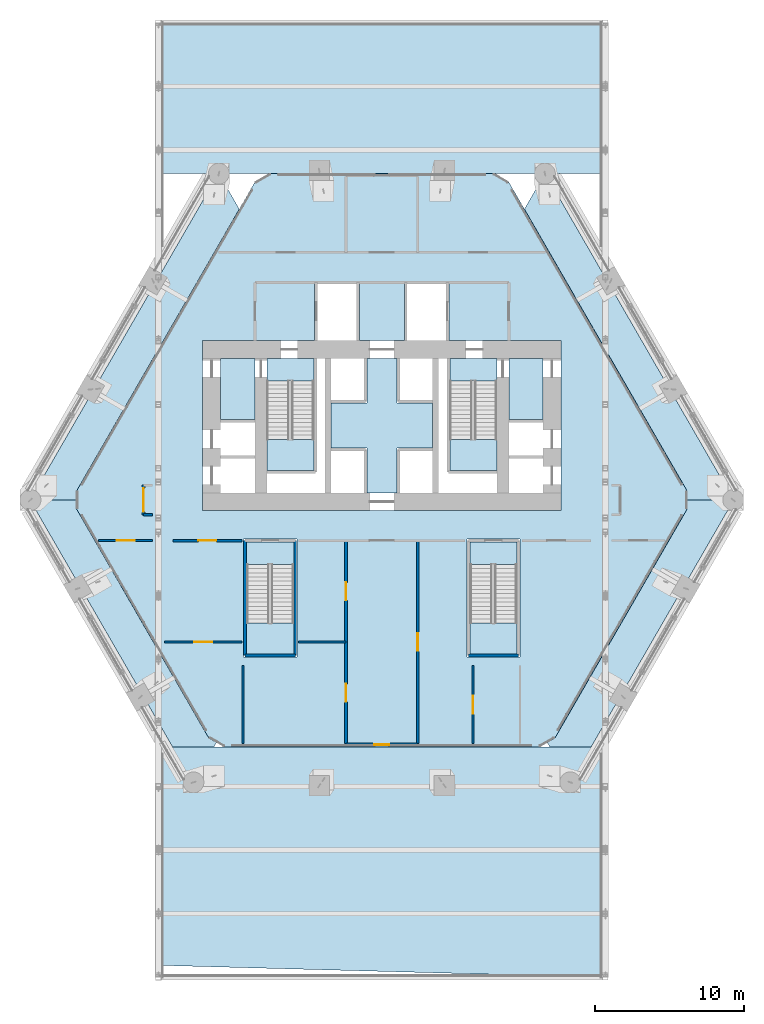
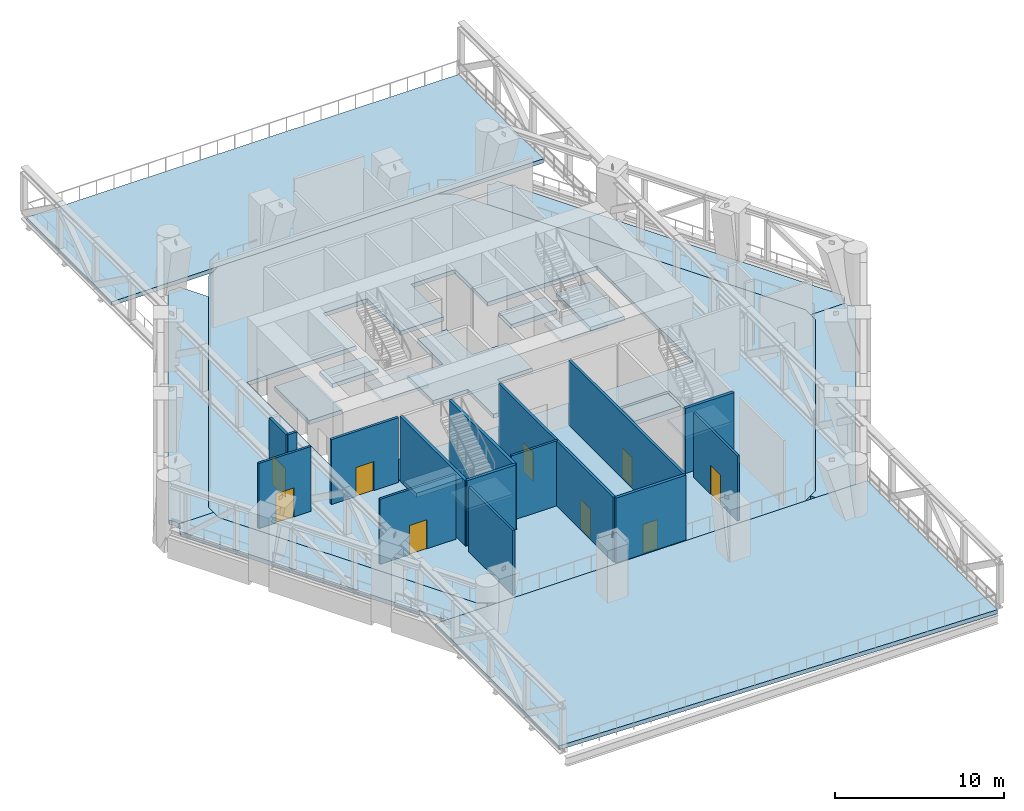
# One storey, part 8 of 20: 18 slabs, 15 walls, 9 doors, 9 openings, 4 elements without a shape of their own.
"""IFC4 building model written with IfcOpenShell, lengths in metres."""

import ifcopenshell
import ifcopenshell.guid

model = None  # the IFC model being written
_history = None  # IfcOwnerHistory: only IFC2X3 demands one
_inside = {}  # id of a spatial element -> (the spatial element, [elements in it])
_under = {}  # id of a project, library or spatial element -> (it, [spatial elements below it])
_declared = {}  # id of a project -> (the project, [libraries it declares])
_typed = {}  # id of a type object -> (the type object, [elements of that type])
_made_of = {}  # id of a material, layer set ... -> (it, [elements and type objects made of it])


def new_model(schema):
    """Start an empty IFC model of exactly this schema.

    Asked for "IFC4X3", IfcOpenShell would pick the latest addendum, in which some entities
    have other attributes; the version numbers below select the first issue.
    IFC2X3 requires an IfcOwnerHistory on every rooted entity: one is made here for all.
    """
    global model, _history
    if schema == "IFC4X3":
        model = ifcopenshell.file(schema_version=(4, 3, 0, 0))
    else:
        model = ifcopenshell.file(schema=schema)
    _inside.clear()
    _under.clear()
    _declared.clear()
    _typed.clear()
    _made_of.clear()
    _history = None
    if model.schema == "IFC2X3":
        org = make("IfcOrganization", Name="unknown")
        user = make(
            "IfcPersonAndOrganization",
            ThePerson=make("IfcPerson", FamilyName="unknown"),
            TheOrganization=org,
        )
        app = make(
            "IfcApplication",
            ApplicationDeveloper=org,
            Version="unknown",
            ApplicationFullName="unknown",
            ApplicationIdentifier="unknown",
        )
        _history = make(
            "IfcOwnerHistory",
            OwningUser=user,
            OwningApplication=app,
            ChangeAction="ADDED",
            CreationDate=0,
        )
    return model


def make(cls, **values):
    """One entity of the class cls with the attributes given. An attribute that is None is left unset."""
    return model.create_entity(
        cls, **{name: value for name, value in values.items() if value is not None}
    )


def rooted(cls, **values):
    """An entity with a GlobalId (a new one), such as an element, a storey or a relation."""
    return make(cls, GlobalId=ifcopenshell.guid.new(), OwnerHistory=_history, **values)


def si_unit(unit_type, name, prefix=None):
    """IfcSIUnit, for example si_unit("LENGTHUNIT", "METRE", prefix="MILLI")."""
    return make("IfcSIUnit", UnitType=unit_type, Prefix=prefix, Name=name)


def assignment(units):
    """IfcUnitAssignment: the units of a project."""
    return None if units is None else make("IfcUnitAssignment", Units=units)


def point(xyz):
    """IfcCartesianPoint."""
    return None if xyz is None else make("IfcCartesianPoint", Coordinates=xyz)


def direction(xyz):
    """IfcDirection."""
    return None if xyz is None else make("IfcDirection", DirectionRatios=xyz)


def frame(location, z_axis=None, x_axis=None):
    """IfcAxis2Placement3D, a coordinate frame: its origin and axes. An axis left out is left unset."""
    return make(
        "IfcAxis2Placement3D",
        Location=point(location),
        Axis=direction(z_axis),
        RefDirection=direction(x_axis),
    )


def frame_2d(location, x_axis=None):
    """IfcAxis2Placement2D, a coordinate frame in the plane: its origin and x axis."""
    return make(
        "IfcAxis2Placement2D", Location=point(location), RefDirection=direction(x_axis)
    )


def origin():
    """The frame at (0, 0, 0) with its axes left unset."""
    return frame((0.0, 0.0, 0.0))


def place(relative_to, where):
    """IfcLocalPlacement: puts the frame where relative to a parent placement (None: the world)."""
    return make(
        "IfcLocalPlacement", PlacementRelTo=relative_to, RelativePlacement=where
    )


def context(
    kind, dimensions, precision=None, world=None, true_north=None, identifier=None
):
    """IfcGeometricRepresentationContext, for example the 3D "Model" context."""
    return make(
        "IfcGeometricRepresentationContext",
        ContextIdentifier=identifier,
        ContextType=kind,
        CoordinateSpaceDimension=dimensions,
        Precision=precision,
        WorldCoordinateSystem=world,
        TrueNorth=true_north,
    )


def subcontext(parent, identifier, kind, view, scale=None):
    """IfcGeometricRepresentationSubContext, for example "Body" below "Model"."""
    return make(
        "IfcGeometricRepresentationSubContext",
        ContextIdentifier=identifier,
        ContextType=kind,
        ParentContext=parent,
        TargetScale=scale,
        TargetView=view,
    )


def project(units=None, contexts=None):
    """IfcProject with its units and contexts."""
    return rooted(
        "IfcProject",
        Name="project",
        RepresentationContexts=contexts,
        UnitsInContext=assignment(units),
    )


def spatial(cls, under=None, at=None, **own):
    """A site, building, storey or space (cls), placed at a placement, below another one or the project."""
    s = rooted(cls, ObjectPlacement=at, **own)
    if under is not None:
        _under.setdefault(under.id(), (under, []))[1].append(s)
    return s


def polyline(points):
    """IfcPolyline through the points."""
    return make("IfcPolyline", Points=[point(p) for p in points])


def profile(cls, at=None, kind="AREA", **sizes):
    """A parametric profile (cls). Its sizes go by their IFC names, for example OverallWidth=200.0."""
    return make(cls, ProfileType=kind, Position=at, **sizes)


def rectangle(**sizes):
    """IfcRectangleProfileDef."""
    return profile("IfcRectangleProfileDef", **sizes)


def outline(outer, holes=None, kind="AREA"):
    """IfcArbitraryClosedProfileDef: a profile drawn as a closed curve; with holes, ...WithVoids."""
    if holes is None:
        return make("IfcArbitraryClosedProfileDef", ProfileType=kind, OuterCurve=outer)
    return make(
        "IfcArbitraryProfileDefWithVoids",
        ProfileType=kind,
        OuterCurve=outer,
        InnerCurves=holes,
    )


def extrude(swept, where, along, depth):
    """IfcExtrudedAreaSolid: the profile swept, set in the frame where, extruded along a direction by depth."""
    return make(
        "IfcExtrudedAreaSolid",
        SweptArea=swept,
        Position=where,
        ExtrudedDirection=direction(along),
        Depth=depth,
    )


def shape(context_of_items, identifier, shape_type, items):
    """IfcShapeRepresentation: the items that make up one representation, for example the "Body"."""
    return make(
        "IfcShapeRepresentation",
        ContextOfItems=context_of_items,
        RepresentationIdentifier=identifier,
        RepresentationType=shape_type,
        Items=items,
    )


def material(Name=None, Category=None):
    """IfcMaterial."""
    return make("IfcMaterial", Name=Name, Category=Category)


def layer(
    of_material, thickness, ventilated=None, Name=None, Category=None, Priority=None
):
    """IfcMaterialLayer: one layer of a wall or slab, of a material (None: an air gap)."""
    return make(
        "IfcMaterialLayer",
        Material=of_material,
        LayerThickness=thickness,
        IsVentilated=ventilated,
        Name=Name,
        Category=Category,
        Priority=Priority,
    )


def layer_set(layers, Name=None):
    """IfcMaterialLayerSet."""
    return make("IfcMaterialLayerSet", MaterialLayers=layers, LayerSetName=Name)


def made_of(thing, what):
    """Note that an element or type object is made of a material, layer set ...; save() writes the relation."""
    if what is not None:
        _made_of.setdefault(what.id(), (what, []))[1].append(thing)
    return thing


def type_object(cls, material=None, **own):
    """A type object (cls), such as IfcWallType, which elements share."""
    return made_of(rooted(cls, **own), material)


def element(
    cls,
    number,
    at=None,
    inside=None,
    cuts=None,
    type_object=None,
    material=None,
    context=None,
    identifier="Body",
    shape_type=None,
    held_by="IfcProductDefinitionShape",
    body=None,
    shapes=None,
    **own,
):
    """One element of the class cls, such as IfcWall. Its Tag is "e" and its number.

    at: its placement. inside: the storey or other place that contains it. cuts: it is an
    opening in that element (IfcRelVoidsElement). A single representation is given by context,
    identifier, shape_type and body (its items); several are given by shapes. held_by: the class
    of the entity that holds the representations. save() writes the other relations.
    """
    e = rooted(cls, Tag="e%d" % number, ObjectPlacement=at, **own)
    if body is not None:
        shapes = [shape(context, identifier, shape_type, body)]
    if shapes is not None:
        e.Representation = make(held_by, Representations=shapes)
    if inside is not None:
        _inside.setdefault(inside.id(), (inside, []))[1].append(e)
    if cuts is not None:
        rooted(
            "IfcRelVoidsElement", RelatingBuildingElement=cuts, RelatedOpeningElement=e
        )
    if type_object is not None:
        _typed.setdefault(type_object.id(), (type_object, []))[1].append(e)
    return made_of(e, material)


def fill(opening, filler):
    """IfcRelFillsElement: the door or window that sits in an opening."""
    return rooted(
        "IfcRelFillsElement",
        RelatingOpeningElement=opening,
        RelatedBuildingElement=filler,
    )


def aggregate(whole, parts):
    """IfcRelAggregates: a whole, such as a stair, and the parts it consists of."""
    return rooted("IfcRelAggregates", RelatingObject=whole, RelatedObjects=parts)


def save(model, path):
    """Write the relations noted so far, then the file.

    IfcRelAggregates (storeys below a building ...), IfcRelContainedInSpatialStructure (elements
    in a storey), IfcRelDefinesByType, IfcRelAssociatesMaterial and IfcRelDeclares: one each for
    every whole, place, type object, material and project.
    """
    for whole, parts in _under.values():
        aggregate(whole, parts)
    for where, things in _inside.values():
        rooted(
            "IfcRelContainedInSpatialStructure",
            RelatedElements=things,
            RelatingStructure=where,
        )
    for kind, things in _typed.values():
        rooted("IfcRelDefinesByType", RelatedObjects=things, RelatingType=kind)
    for what, things in _made_of.values():
        rooted("IfcRelAssociatesMaterial", RelatedObjects=things, RelatingMaterial=what)
    for by, libraries in _declared.values():
        rooted("IfcRelDeclares", RelatingContext=by, RelatedDefinitions=libraries)
    model.write(path)


model = new_model("IFC4")

# Units and contexts
model_context = context("Model", 3, precision=1e-05, world=origin(), true_north=direction((0.0, 1.0)))
body_context = subcontext(model_context, "Body", "Model", "MODEL_VIEW")
ifc_project = project(units=[si_unit("LENGTHUNIT", "METRE"), si_unit("AREAUNIT", "SQUARE_METRE"), si_unit("VOLUMEUNIT", "CUBIC_METRE"), si_unit("PLANEANGLEUNIT", "RADIAN"), si_unit("MASSUNIT", "GRAM", prefix="KILO")], contexts=[model_context])

# Site, building, storey
site_placement = place(None, origin())
site = spatial("IfcSite", under=ifc_project, at=site_placement, CompositionType="ELEMENT")
building_placement = place(site_placement, origin())
building = spatial("IfcBuilding", under=site, at=building_placement, Name="Ostrander Bayou Hotel Tower", CompositionType="ELEMENT")
storey_placement = place(building_placement, frame((0.0, 0.0, 80.5)))
storey = spatial("IfcBuildingStorey", under=building, at=storey_placement, Name="L20", CompositionType="ELEMENT", Elevation=80.5)

# Slabs
ifc_material_1 = material(Name="Concrete f'c 40 MPa", Category="concrete")
ifc_layer_1 = layer(ifc_material_1, 0.300048828125)
ifc_layer_set_1 = layer_set([ifc_layer_1], Name="SL1 floor slab 300 mm f'c 40 MPa")
slab_type_1 = type_object("IfcSlabType", Name="SL1 floor slab 300 mm f'c 40 MPa", PredefinedType="FLOOR", material=ifc_layer_set_1)
slab_1_placement = place(storey_placement, frame((0.0, 0.0, -0.300048828125)))
element("IfcSlab", 1, at=slab_1_placement, inside=storey, type_object=slab_type_1, Name="SL1 L20 1", PredefinedType="FLOOR", context=body_context, shape_type="SweptSolid", body=[
    extrude(outline(polyline([(8.5078125, 20.300048828125), (20.448486328125, -0.3818359375), (20.448486328125, -1.581787109375), (11.59423828125, -16.918212890625), (10.55517578125, -17.51806640625), (-10.55517578125, -17.51806640625), (-11.59423828125, -16.918212890625), (-20.448486328125, -1.581787109375), (-20.448486328125, -0.3818359375), (-8.5078125, 20.300048828125), (-7.46875, 20.89990234375), (7.46875, 20.89990234375), (8.5078125, 20.300048828125)]), holes=[polyline([(-12.0, -1.699951171875), (12.0, -1.699951171875), (12.0, 9.699951171875), (4.5, 9.699951171875), (4.5, 13.60009765625), (1.5, 13.60009765625), (1.5, 9.699951171875), (-1.5, 9.699951171875), (-1.5, 13.60009765625), (-4.5, 13.60009765625), (-4.5, 9.699951171875), (-12.0, 9.699951171875), (-12.0, -1.699951171875)]), polyline([(9.25, -3.60009765625), (5.699951171875, -3.60009765625), (5.699951171875, -11.5), (9.25, -11.5), (9.25, -3.60009765625)]), polyline([(-5.699951171875, -3.60009765625), (-9.25, -3.60009765625), (-9.25, -11.5), (-5.699951171875, -11.5), (-5.699951171875, -3.60009765625)])]), origin(), (0.0, 0.0, 1.0), 0.300048828125),
])
slab_2_placement = place(storey_placement, frame((0.0, 0.0, -0.300048828125)))
element("IfcSlab", 2, at=slab_2_placement, inside=storey, type_object=slab_type_1, Name="cslab:L20:001", PredefinedType="FLOOR", context=body_context, shape_type="SweptSolid", body=[
    extrude(outline(polyline([(-3.39990234375, 5.5), (-1.0, 5.5), (-1.0, 8.5), (1.0, 8.5), (1.0, 5.5), (3.39990234375, 5.5), (3.39990234375, 2.5), (1.0, 2.5), (1.0, -0.5), (-1.0, -0.5), (-1.0, 2.5), (-3.39990234375, 2.5), (-3.39990234375, 5.5)])), origin(), (0.0, 0.0, 1.0), 0.300048828125),
])
slab_3_placement = place(storey_placement, frame((0.0, 0.0, -0.300048828125)))
element("IfcSlab", 3, at=slab_3_placement, inside=storey, type_object=slab_type_1, Name="cslab:L20:002", PredefinedType="FLOOR", context=body_context, shape_type="SweptSolid", body=[
    extrude(outline(polyline([(-8.5, 4.39990234375), (-8.5, 8.5), (-10.800048828125, 8.5), (-10.800048828125, 4.39990234375), (-8.5, 4.39990234375)])), origin(), (0.0, 0.0, 1.0), 0.300048828125),
])
slab_4_placement = place(storey_placement, frame((0.0, 0.0, -0.300048828125)))
element("IfcSlab", 4, at=slab_4_placement, inside=storey, type_object=slab_type_1, Name="cslab:L20:003", PredefinedType="FLOOR", context=body_context, shape_type="SweptSolid", body=[
    extrude(outline(polyline([(10.800048828125, 4.39990234375), (10.800048828125, 8.5), (8.5, 8.5), (8.5, 4.39990234375), (10.800048828125, 4.39990234375)])), origin(), (0.0, 0.0, 1.0), 0.300048828125),
])
slab_5_placement = place(storey_placement, frame((0.0, 0.0, -0.300048828125)))
element("IfcSlab", 5, at=slab_5_placement, inside=storey, type_object=slab_type_1, Name="cslab:L20:004", PredefinedType="FLOOR", context=body_context, shape_type="SweptSolid", body=[
    extrude(outline(polyline([(-4.550048828125, 7.0), (-4.550048828125, 8.5), (-7.699951171875, 8.5), (-7.699951171875, 7.0), (-4.550048828125, 7.0)])), origin(), (0.0, 0.0, 1.0), 0.300048828125),
])
slab_6_placement = place(storey_placement, frame((0.0, 0.0, -0.300048828125)))
element("IfcSlab", 6, at=slab_6_placement, inside=storey, type_object=slab_type_1, Name="cslab:L20:005", PredefinedType="FLOOR", context=body_context, shape_type="SweptSolid", body=[
    extrude(outline(polyline([(7.699951171875, 7.0), (7.699951171875, 8.5), (4.550048828125, 8.5), (4.550048828125, 7.0), (7.699951171875, 7.0)])), origin(), (0.0, 0.0, 1.0), 0.300048828125),
])
slab_7_placement = place(storey_placement, frame((0.0, 0.0, -0.300048828125)))
element("IfcSlab", 7, at=slab_7_placement, inside=storey, type_object=slab_type_1, Name="cslab:L20:006", PredefinedType="FLOOR", context=body_context, shape_type="SweptSolid", body=[
    extrude(outline(polyline([(9.050048828125, -5.300048828125), (9.050048828125, -3.800048828125), (5.89990234375, -3.800048828125), (5.89990234375, -5.300048828125), (9.050048828125, -5.300048828125)])), origin(), (0.0, 0.0, 1.0), 0.300048828125),
])
slab_8_placement = place(storey_placement, frame((0.0, 0.0, -0.300048828125)))
element("IfcSlab", 8, at=slab_8_placement, inside=storey, type_object=slab_type_1, Name="cslab:L20:007", PredefinedType="FLOOR", context=body_context, shape_type="SweptSolid", body=[
    extrude(outline(polyline([(-5.89990234375, -5.300048828125), (-5.89990234375, -3.800048828125), (-9.050048828125, -3.800048828125), (-9.050048828125, -5.300048828125), (-5.89990234375, -5.300048828125)])), origin(), (0.0, 0.0, 1.0), 0.300048828125),
])
ifc_material_2 = material(Name="Concrete f'c 40 MPa", Category="concrete")
ifc_layer_2 = layer(ifc_material_2, 0.300048828125)
ifc_layer_set_2 = layer_set([ifc_layer_2], Name="SL4 loggia slab 300 mm f'c 40 MPa")
slab_type_2 = type_object("IfcSlabType", Name="SL4 loggia slab 300 mm f'c 40 MPa", PredefinedType="FLOOR", material=ifc_layer_set_2)
slab_9_placement = place(storey_placement, frame((0.0, 0.0, -0.300048828125)))
element("IfcSlab", 9, at=slab_9_placement, inside=storey, type_object=slab_type_2, Name="SL4 LOGGIA L20 NW 1", PredefinedType="FLOOR", context=body_context, shape_type="SweptSolid", body=[
    extrude(outline(polyline([(-22.834228515625, -0.98193359375), (-22.84765625, -0.84521484375), (-22.8876953125, -0.714111328125), (-22.952392578125, -0.593017578125), (-23.039306640625, -0.48681640625), (-23.13330078125, -0.409912109375), (-23.13330078125, -0.23193359375), (-11.36572265625, 20.14990234375), (-11.210693359375, 20.239501953125), (-11.184814453125, 20.2255859375), (-11.053466796875, 20.185791015625), (-10.916748046875, 20.172119140625), (-10.7802734375, 20.185791015625), (-10.64892578125, 20.2255859375), (-10.568359375, 20.2685546875), (-9.547119140625, 18.5), (-20.448486328125, -0.3818359375), (-20.448486328125, -0.98193359375), (-22.834228515625, -0.98193359375)])), origin(), (0.0, 0.0, 1.0), 0.300048828125),
])
slab_10_placement = place(storey_placement, frame((0.0, 0.0, -0.300048828125)))
element("IfcSlab", 10, at=slab_10_placement, inside=storey, type_object=slab_type_2, Name="SL4 LOGGIA L20 SW 1", PredefinedType="FLOOR", context=body_context, shape_type="SweptSolid", body=[
    extrude(outline(polyline([(-11.07470703125, -17.218017578125), (-11.247802734375, -17.51806640625), (-14.019287109375, -17.51806640625), (-15.667236328125, -14.66357421875), (-16.337158203125, -13.503173828125), (-19.862548828125, -7.39697265625), (-20.53271484375, -6.236328125), (-21.3271484375, -4.860595703125), (-23.13330078125, -1.73193359375), (-23.13330078125, -1.553955078125), (-23.039306640625, -1.476806640625), (-22.952392578125, -1.370849609375), (-22.8876953125, -1.249755859375), (-22.84765625, -1.118408203125), (-22.834228515625, -0.98193359375), (-20.448486328125, -0.98193359375), (-20.448486328125, -1.581787109375), (-11.59423828125, -16.918212890625), (-11.07470703125, -17.218017578125)])), origin(), (0.0, 0.0, 1.0), 0.300048828125),
])
slab_11_placement = place(storey_placement, frame((0.0, 0.0, -0.300048828125)))
element("IfcSlab", 11, at=slab_11_placement, inside=storey, type_object=slab_type_2, Name="SL4 LOGGIA L20 SE 1", PredefinedType="FLOOR", context=body_context, shape_type="SweptSolid", body=[
    extrude(outline(polyline([(23.13330078125, -1.73193359375), (20.53271484375, -6.236328125), (19.862548828125, -7.39697265625), (16.337158203125, -13.503173828125), (15.667236328125, -14.66357421875), (14.019287109375, -17.51806640625), (11.247802734375, -17.51806640625), (11.07470703125, -17.218017578125), (11.59423828125, -16.918212890625), (20.448486328125, -1.581787109375), (20.448486328125, -0.98193359375), (22.834228515625, -0.98193359375), (22.84765625, -1.118408203125), (22.8876953125, -1.249755859375), (22.952392578125, -1.370849609375), (23.039306640625, -1.476806640625), (23.13330078125, -1.553955078125), (23.13330078125, -1.73193359375)])), origin(), (0.0, 0.0, 1.0), 0.300048828125),
])
slab_12_placement = place(storey_placement, frame((0.0, 0.0, -0.300048828125)))
element("IfcSlab", 12, at=slab_12_placement, inside=storey, type_object=slab_type_2, Name="SL4 LOGGIA L20 NE 1", PredefinedType="FLOOR", context=body_context, shape_type="SweptSolid", body=[
    extrude(outline(polyline([(10.568359375, 20.2685546875), (10.64892578125, 20.2255859375), (10.7802734375, 20.185791015625), (10.916748046875, 20.172119140625), (11.053466796875, 20.185791015625), (11.184814453125, 20.2255859375), (11.210693359375, 20.239501953125), (11.36572265625, 20.14990234375), (12.78173828125, 17.697509765625), (14.81689453125, 14.172607421875), (16.810546875, 10.71923828125), (19.01220703125, 6.906005859375), (19.682373046875, 5.74560546875), (23.13330078125, -0.23193359375), (23.13330078125, -0.409912109375), (23.039306640625, -0.48681640625), (22.952392578125, -0.593017578125), (22.8876953125, -0.714111328125), (22.84765625, -0.84521484375), (22.834228515625, -0.98193359375), (20.448486328125, -0.98193359375), (20.448486328125, -0.3818359375), (9.547119140625, 18.5), (10.568359375, 20.2685546875)])), origin(), (0.0, 0.0, 1.0), 0.300048828125),
])
ifc_material_3 = material(Name="Concrete f'c 40 MPa", Category="concrete")
ifc_layer_3 = layer(ifc_material_3, 0.300048828125)
ifc_layer_set_3 = layer_set([ifc_layer_3], Name="SL6B terrace roof slab 300 mm f'c 40 MPa")
slab_type_3 = type_object("IfcSlabType", Name="SL6B terrace roof slab 300 mm f'c 40 MPa", PredefinedType="ROOF", material=ifc_layer_set_3)
slab_13_placement = place(storey_placement, frame((0.0, 0.0, -0.300048828125)))
element("IfcSlab", 13, at=slab_13_placement, inside=storey, type_object=slab_type_3, Name="SL6B ROOF SB1 1", PredefinedType="ROOF", context=body_context, shape_type="SweptSolid", body=[
    extrude(outline(polyline([(-14.787109375, -17.51806640625), (14.787109375, -17.51806640625), (14.787109375, -32.949951171875), (-14.787109375, -32.14990234375), (-14.787109375, -17.51806640625)])), origin(), (0.0, 0.0, 1.0), 0.300048828125),
])
slab_14_placement = place(storey_placement, frame((0.0, 0.0, -0.300048828125)))
element("IfcSlab", 14, at=slab_14_placement, inside=storey, type_object=slab_type_3, Name="SL6B ROOF SB1 1", PredefinedType="ROOF", context=body_context, shape_type="SweptSolid", body=[
    extrude(outline(polyline([(-14.787109375, 30.986083984375), (14.787109375, 30.986083984375), (14.787109375, 20.89990234375), (-14.787109375, 20.89990234375), (-14.787109375, 30.986083984375)])), origin(), (0.0, 0.0, 1.0), 0.300048828125),
])

# Stair, slab
ifc_material_4 = material(Name="Concrete f'c 45 MPa", Category="concrete")
stair_type = type_object("IfcStairType", Name="ST1 exit stair 1500 mm f'c 45 MPa", PredefinedType="HALF_TURN_STAIR", material=ifc_material_4)
stair_1_placement = place(storey_placement, origin())
stair_1 = element("IfcStair", 15, at=stair_1_placement, inside=storey, type_object=stair_type, Name="L20 exit stair A", PredefinedType="HALF_TURN_STAIR")
ifc_material_5 = material(Name="Concrete f'c 45 MPa", Category="concrete")
ifc_layer_4 = layer(ifc_material_5, 0.199951171875)
ifc_layer_set_4 = layer_set([ifc_layer_4], Name="SL8 stair landing 200 mm f'c 45 MPa")
slab_type_4 = type_object("IfcSlabType", Name="SL8 stair landing 200 mm f'c 45 MPa", PredefinedType="LANDING", material=ifc_layer_set_4)
slab_15_placement = place(storey_placement, frame((0.0, 0.0, 2.300048828125)))
slab_15 = element("IfcSlab", 16, at=slab_15_placement, type_object=slab_type_4, Name="STA landing 1", PredefinedType="LANDING", context=body_context, shape_type="SweptSolid", body=[
    extrude(outline(polyline([(-7.699951171875, 3.080078125), (-7.699951171875, 1.0), (-4.550048828125, 1.0), (-4.550048828125, 3.080078125), (-7.699951171875, 3.080078125)])), origin(), (0.0, 0.0, 1.0), 0.199951171875),
])
aggregate(stair_1, [slab_15])

stair_2_placement = place(storey_placement, origin())
stair_2 = element("IfcStair", 17, at=stair_2_placement, inside=storey, type_object=stair_type, Name="L20 exit stair B", PredefinedType="HALF_TURN_STAIR")
slab_16_placement = place(storey_placement, frame((0.0, 0.0, 2.300048828125)))
slab_16 = element("IfcSlab", 18, at=slab_16_placement, type_object=slab_type_4, Name="STB landing 1", PredefinedType="LANDING", context=body_context, shape_type="SweptSolid", body=[
    extrude(outline(polyline([(4.550048828125, 3.080078125), (4.550048828125, 1.0), (7.699951171875, 1.0), (7.699951171875, 3.080078125), (4.550048828125, 3.080078125)])), origin(), (0.0, 0.0, 1.0), 0.199951171875),
])
aggregate(stair_2, [slab_16])

stair_3_placement = place(storey_placement, origin())
stair_3 = element("IfcStair", 19, at=stair_3_placement, inside=storey, type_object=stair_type, Name="L20 exit stair C", PredefinedType="HALF_TURN_STAIR")
slab_17_placement = place(storey_placement, frame((0.0, 0.0, 2.300048828125)))
slab_17 = element("IfcSlab", 20, at=slab_17_placement, type_object=slab_type_4, Name="STC landing 1", PredefinedType="LANDING", context=body_context, shape_type="SweptSolid", body=[
    extrude(outline(polyline([(5.89990234375, -9.219970703125), (5.89990234375, -11.300048828125), (9.050048828125, -11.300048828125), (9.050048828125, -9.219970703125), (5.89990234375, -9.219970703125)])), origin(), (0.0, 0.0, 1.0), 0.199951171875),
])
aggregate(stair_3, [slab_17])

stair_4_placement = place(storey_placement, origin())
stair_4 = element("IfcStair", 21, at=stair_4_placement, inside=storey, type_object=stair_type, Name="L20 exit stair D", PredefinedType="HALF_TURN_STAIR")
slab_18_placement = place(storey_placement, frame((0.0, 0.0, 2.300048828125)))
slab_18 = element("IfcSlab", 22, at=slab_18_placement, type_object=slab_type_4, Name="STD landing 1", PredefinedType="LANDING", context=body_context, shape_type="SweptSolid", body=[
    extrude(outline(polyline([(-9.050048828125, -9.219970703125), (-9.050048828125, -11.300048828125), (-5.89990234375, -11.300048828125), (-5.89990234375, -9.219970703125), (-9.050048828125, -9.219970703125)])), origin(), (0.0, 0.0, 1.0), 0.199951171875),
])
aggregate(stair_4, [slab_18])

# Wall, opening, door
ifc_material_6 = material(Name="Gypsum board partition", Category="finish")
ifc_layer_5 = layer(ifc_material_6, 0.175048828125)
ifc_layer_set_5 = layer_set([ifc_layer_5], Name="PT4 corridor wall 175 mm, 1 hour")
wall_type_1 = type_object("IfcWallType", Name="PT4 corridor wall 175 mm, 1 hour", PredefinedType="PARTITIONING", material=ifc_layer_set_5)
wall_1_placement = place(storey_placement, frame((-14.0, -3.699951171875, 0.0), z_axis=(0.0, 0.0, 1.0), x_axis=(1.0, 0.0, 0.0)))
wall_1 = element("IfcWall", 23, at=wall_1_placement, inside=storey, type_object=wall_type_1, Name="sw:L20:001", PredefinedType="PARTITIONING", context=body_context, shape_type="SweptSolid", body=[
    extrude(rectangle(XDim=4.6201171875, YDim=0.175048828125, at=frame_2d((2.31005859375, 0.0))), origin(), (0.0, 0.0, 1.0), 4.699951171875),
])
opening_1_placement = place(wall_1_placement, frame((1.7099609375, 0.0, 0.0)))
opening_1 = element("IfcOpeningElement", 24, at=opening_1_placement, cuts=wall_1, Name="Opening T20-206", PredefinedType="OPENING", context=body_context, shape_type="SweptSolid", body=[
    extrude(rectangle(XDim=1.199951171875, YDim=2.10009765625, at=frame_2d((0.60009765625, 1.050048828125))), frame((0.0, 0.08740234375, 0.0), z_axis=(0.0, -1.0, 0.0), x_axis=(1.0, 0.0, 0.0)), (0.0, 0.0, 1.0), 0.175048828125),
])
ifc_material_7 = material(Name="Timber door leaf", Category="wood")
door_type_1 = type_object("IfcDoorType", Name="D10 plant room door 1200 x 2100 mm, 1 hour", OperationType="SINGLE_SWING_LEFT", PredefinedType="DOOR", material=ifc_material_7)
door_1_placement = place(opening_1_placement, origin())
door_1 = element("IfcDoor", 25, at=door_1_placement, inside=storey, type_object=door_type_1, Name="dr:L20:206", OperationType="SINGLE_SWING_RIGHT", OverallHeight=2.10009765625, OverallWidth=1.199951171875, PredefinedType="DOOR", context=body_context, shape_type="SweptSolid", body=[
    extrude(rectangle(XDim=1.199951171875, YDim=2.10009765625, at=frame_2d((0.60009765625, 1.050048828125))), frame((0.0, 0.02490234375, 0.0), z_axis=(0.0, -1.0, 0.0), x_axis=(1.0, 0.0, 0.0)), (0.0, 0.0, 1.0), 0.050048828125),
])
fill(opening_1, door_1)

# Wall
wall_2_placement = place(storey_placement, frame((-15.965087890625, -1.98193359375, 0.0), z_axis=(0.0, 0.0, 1.0), x_axis=(1.0, 0.0, 0.0)))
element("IfcWall", 26, at=wall_2_placement, inside=storey, type_object=wall_type_1, Name="sw:L20:004", PredefinedType="PARTITIONING", context=body_context, shape_type="SweptSolid", body=[
    extrude(rectangle(XDim=0.60009765625, YDim=0.175048828125, at=frame_2d((0.300048828125, 0.0))), origin(), (0.0, 0.0, 1.0), 4.699951171875),
])

# Wall, opening, door
wall_3_placement = place(storey_placement, frame((-15.965087890625, -1.98193359375, 0.0), z_axis=(0.0, 0.0, 1.0), x_axis=(0.0, 1.0, 0.0)))
wall_3 = element("IfcWall", 27, at=wall_3_placement, inside=storey, type_object=wall_type_1, Name="sw:L20:009", PredefinedType="PARTITIONING", context=body_context, shape_type="SweptSolid", body=[
    extrude(rectangle(XDim=2.0, YDim=0.175048828125, at=frame_2d((1.0, 0.0))), origin(), (0.0, 0.0, 1.0), 4.699951171875),
])
opening_2_placement = place(wall_3_placement, frame((0.199951171875, 0.0, 0.0)))
opening_2 = element("IfcOpeningElement", 28, at=opening_2_placement, cuts=wall_3, Name="Opening T20-202", PredefinedType="OPENING", context=body_context, shape_type="SweptSolid", body=[
    extrude(rectangle(XDim=1.60009765625, YDim=2.10009765625, at=frame_2d((0.800048828125, 1.050048828125))), frame((0.0, 0.08740234375, 0.0), z_axis=(0.0, -1.0, 0.0), x_axis=(1.0, 0.0, 0.0)), (0.0, 0.0, 1.0), 0.175048828125),
])
ifc_material_8 = material(Name="Timber door leaf", Category="wood")
door_type_2 = type_object("IfcDoorType", Name="D13 double door 1600 x 2100 mm, 1 hour", OperationType="SINGLE_SWING_LEFT", PredefinedType="DOOR", material=ifc_material_8)
door_2_placement = place(opening_2_placement, origin())
door_2 = element("IfcDoor", 29, at=door_2_placement, inside=storey, type_object=door_type_2, Name="dr:L20:202", OperationType="DOUBLE_DOOR_SINGLE_SWING", OverallHeight=2.10009765625, OverallWidth=1.60009765625, PredefinedType="DOOR", context=body_context, shape_type="SweptSolid", body=[
    extrude(rectangle(XDim=1.60009765625, YDim=2.10009765625, at=frame_2d((0.800048828125, 1.050048828125))), frame((0.0, 0.02490234375, 0.0), z_axis=(0.0, -1.0, 0.0), x_axis=(1.0, 0.0, 0.0)), (0.0, 0.0, 1.0), 0.050048828125),
])
fill(opening_2, door_2)

# Wall, openings, doors
wall_4_placement = place(storey_placement, frame((-2.39990234375, -17.2880859375, 0.0), z_axis=(0.0, 0.0, 1.0), x_axis=(0.0, 1.0, 0.0)))
wall_4 = element("IfcWall", 30, at=wall_4_placement, inside=storey, type_object=wall_type_1, Name="sw:L20:010", PredefinedType="PARTITIONING", context=body_context, shape_type="SweptSolid", body=[
    extrude(rectangle(XDim=13.588134765625, YDim=0.175048828125, at=frame_2d((6.7939453125, 0.0))), origin(), (0.0, 0.0, 1.0), 4.699951171875),
])
opening_3_placement = place(wall_4_placement, frame((2.7939453125, 0.0, 0.0)))
opening_3 = element("IfcOpeningElement", 31, at=opening_3_placement, cuts=wall_4, Name="Opening T20-208", PredefinedType="OPENING", context=body_context, shape_type="SweptSolid", body=[
    extrude(rectangle(XDim=1.199951171875, YDim=2.10009765625, at=frame_2d((0.60009765625, 1.050048828125))), frame((0.0, 0.08740234375, 0.0), z_axis=(0.0, -1.0, 0.0), x_axis=(1.0, 0.0, 0.0)), (0.0, 0.0, 1.0), 0.175048828125),
])
opening_4_placement = place(wall_4_placement, frame((9.588134765625, 0.0, 0.0)))
opening_4 = element("IfcOpeningElement", 32, at=opening_4_placement, cuts=wall_4, Name="Opening T20-209", PredefinedType="OPENING", context=body_context, shape_type="SweptSolid", body=[
    extrude(rectangle(XDim=1.199951171875, YDim=2.10009765625, at=frame_2d((0.60009765625, 1.050048828125))), frame((0.0, 0.08740234375, 0.0), z_axis=(0.0, -1.0, 0.0), x_axis=(1.0, 0.0, 0.0)), (0.0, 0.0, 1.0), 0.175048828125),
])
door_3_placement = place(opening_3_placement, origin())
door_3 = element("IfcDoor", 33, at=door_3_placement, inside=storey, type_object=door_type_1, Name="dr:L20:208", OperationType="SINGLE_SWING_RIGHT", OverallHeight=2.10009765625, OverallWidth=1.199951171875, PredefinedType="DOOR", context=body_context, shape_type="SweptSolid", body=[
    extrude(rectangle(XDim=1.199951171875, YDim=2.10009765625, at=frame_2d((0.60009765625, 1.050048828125))), frame((0.0, 0.02490234375, 0.0), z_axis=(0.0, -1.0, 0.0), x_axis=(1.0, 0.0, 0.0)), (0.0, 0.0, 1.0), 0.050048828125),
])
fill(opening_3, door_3)
door_4_placement = place(opening_4_placement, origin())
door_4 = element("IfcDoor", 34, at=door_4_placement, inside=storey, type_object=door_type_1, Name="dr:L20:209", OperationType="SINGLE_SWING_LEFT", OverallHeight=2.10009765625, OverallWidth=1.199951171875, PredefinedType="DOOR", context=body_context, shape_type="SweptSolid", body=[
    extrude(rectangle(XDim=1.199951171875, YDim=2.10009765625, at=frame_2d((0.60009765625, 1.050048828125))), frame((0.0, 0.02490234375, 0.0), z_axis=(0.0, -1.0, 0.0), x_axis=(1.0, 0.0, 0.0)), (0.0, 0.0, 1.0), 0.050048828125),
])
fill(opening_4, door_4)

# Wall, opening, door
wall_5_placement = place(storey_placement, frame((2.39990234375, -17.2880859375, 0.0), z_axis=(0.0, 0.0, 1.0), x_axis=(0.0, 1.0, 0.0)))
wall_5 = element("IfcWall", 35, at=wall_5_placement, inside=storey, type_object=wall_type_1, Name="sw:L20:012", PredefinedType="PARTITIONING", context=body_context, shape_type="SweptSolid", body=[
    extrude(rectangle(XDim=13.588134765625, YDim=0.175048828125, at=frame_2d((6.7939453125, 0.0))), origin(), (0.0, 0.0, 1.0), 4.699951171875),
])
opening_5_placement = place(wall_5_placement, frame((6.194091796875, 0.0, 0.0)))
opening_5 = element("IfcOpeningElement", 36, at=opening_5_placement, cuts=wall_5, Name="Opening T20-210", PredefinedType="OPENING", context=body_context, shape_type="SweptSolid", body=[
    extrude(rectangle(XDim=1.199951171875, YDim=2.10009765625, at=frame_2d((0.60009765625, 1.050048828125))), frame((0.0, 0.08740234375, 0.0), z_axis=(0.0, -1.0, 0.0), x_axis=(1.0, 0.0, 0.0)), (0.0, 0.0, 1.0), 0.175048828125),
])
door_5_placement = place(opening_5_placement, origin())
door_5 = element("IfcDoor", 37, at=door_5_placement, inside=storey, type_object=door_type_1, Name="dr:L20:210", OperationType="SINGLE_SWING_RIGHT", OverallHeight=2.10009765625, OverallWidth=1.199951171875, PredefinedType="DOOR", context=body_context, shape_type="SweptSolid", body=[
    extrude(rectangle(XDim=1.199951171875, YDim=2.10009765625, at=frame_2d((0.60009765625, 1.050048828125))), frame((0.0, 0.02490234375, 0.0), z_axis=(0.0, -1.0, 0.0), x_axis=(1.0, 0.0, 0.0)), (0.0, 0.0, 1.0), 0.050048828125),
])
fill(opening_5, door_5)

ifc_material_9 = material(Name="Gypsum board partition", Category="finish")
ifc_layer_6 = layer(ifc_material_9, 0.14990234375)
ifc_layer_set_6 = layer_set([ifc_layer_6], Name="PT7 riser wall 150 mm, 2 hour")
wall_type_2 = type_object("IfcWallType", Name="PT7 riser wall 150 mm, 2 hour", PredefinedType="PARTITIONING", material=ifc_layer_set_6)
wall_6_placement = place(storey_placement, frame((-14.56494140625, -10.5, 0.0), z_axis=(0.0, 0.0, 1.0), x_axis=(1.0, 0.0, 0.0)))
wall_6 = element("IfcWall", 38, at=wall_6_placement, inside=storey, type_object=wall_type_2, Name="sw:L20:015", PredefinedType="PARTITIONING", context=body_context, shape_type="SweptSolid", body=[
    extrude(rectangle(XDim=5.18505859375, YDim=0.14990234375, at=frame_2d((2.592529296875, 0.0))), origin(), (0.0, 0.0, 1.0), 4.699951171875),
])
opening_6_placement = place(wall_6_placement, frame((1.992431640625, 0.0, 0.0)))
opening_6 = element("IfcOpeningElement", 39, at=opening_6_placement, cuts=wall_6, Name="Opening T20-207", PredefinedType="OPENING", context=body_context, shape_type="SweptSolid", body=[
    extrude(rectangle(XDim=1.199951171875, YDim=2.10009765625, at=frame_2d((0.60009765625, 1.050048828125))), frame((0.0, 0.074951171875, 0.0), z_axis=(0.0, -1.0, 0.0), x_axis=(1.0, 0.0, 0.0)), (0.0, 0.0, 1.0), 0.14990234375),
])
door_6_placement = place(opening_6_placement, origin())
door_6 = element("IfcDoor", 40, at=door_6_placement, inside=storey, type_object=door_type_1, Name="dr:L20:207", OperationType="SINGLE_SWING_LEFT", OverallHeight=2.10009765625, OverallWidth=1.199951171875, PredefinedType="DOOR", context=body_context, shape_type="SweptSolid", body=[
    extrude(rectangle(XDim=1.199951171875, YDim=2.10009765625, at=frame_2d((0.60009765625, 1.050048828125))), frame((0.0, 0.02490234375, 0.0), z_axis=(0.0, -1.0, 0.0), x_axis=(1.0, 0.0, 0.0)), (0.0, 0.0, 1.0), 0.050048828125),
])
fill(opening_6, door_6)

# Wall
wall_7_placement = place(storey_placement, frame((-5.570068359375, -10.5, 0.0), z_axis=(0.0, 0.0, 1.0), x_axis=(1.0, 0.0, 0.0)))
element("IfcWall", 41, at=wall_7_placement, inside=storey, type_object=wall_type_2, Name="sw:L20:016", PredefinedType="PARTITIONING", context=body_context, shape_type="SweptSolid", body=[
    extrude(rectangle(XDim=3.170166015625, YDim=0.14990234375, at=frame_2d((1.5849609375, 0.0))), origin(), (0.0, 0.0, 1.0), 4.699951171875),
])

# Wall, opening, door
wall_8_placement = place(storey_placement, frame((-18.960205078125, -3.699951171875, 0.0), z_axis=(0.0, 0.0, 1.0), x_axis=(1.0, 0.0, 0.0)))
wall_8 = element("IfcWall", 42, at=wall_8_placement, inside=storey, type_object=wall_type_2, Name="sw:L20:017", PredefinedType="PARTITIONING", context=body_context, shape_type="SweptSolid", body=[
    extrude(rectangle(XDim=3.59521484375, YDim=0.14990234375, at=frame_2d((1.797607421875, 0.0))), origin(), (0.0, 0.0, 1.0), 4.699951171875),
])
opening_7_placement = place(wall_8_placement, frame((1.197509765625, 0.0, 0.0)))
opening_7 = element("IfcOpeningElement", 43, at=opening_7_placement, cuts=wall_8, Name="Opening T20-204", PredefinedType="OPENING", context=body_context, shape_type="SweptSolid", body=[
    extrude(rectangle(XDim=1.199951171875, YDim=2.10009765625, at=frame_2d((0.60009765625, 1.050048828125))), frame((0.0, 0.074951171875, 0.0), z_axis=(0.0, -1.0, 0.0), x_axis=(1.0, 0.0, 0.0)), (0.0, 0.0, 1.0), 0.14990234375),
])
door_7_placement = place(opening_7_placement, origin())
door_7 = element("IfcDoor", 44, at=door_7_placement, inside=storey, type_object=door_type_1, Name="dr:L20:204", OperationType="SINGLE_SWING_RIGHT", OverallHeight=2.10009765625, OverallWidth=1.199951171875, PredefinedType="DOOR", context=body_context, shape_type="SweptSolid", body=[
    extrude(rectangle(XDim=1.199951171875, YDim=2.10009765625, at=frame_2d((0.60009765625, 1.050048828125))), frame((0.0, 0.02490234375, 0.0), z_axis=(0.0, -1.0, 0.0), x_axis=(1.0, 0.0, 0.0)), (0.0, 0.0, 1.0), 0.050048828125),
])
fill(opening_7, door_7)

# Wall
wall_9_placement = place(storey_placement, frame((-9.300048828125, -17.2880859375, 0.0), z_axis=(0.0, 0.0, 1.0), x_axis=(0.0, 1.0, 0.0)))
element("IfcWall", 45, at=wall_9_placement, inside=storey, type_object=wall_type_2, Name="sw:L20:019", PredefinedType="PARTITIONING", context=body_context, shape_type="SweptSolid", body=[
    extrude(rectangle(XDim=5.2080078125, YDim=0.14990234375, at=frame_2d((2.60400390625, 0.0))), origin(), (0.0, 0.0, 1.0), 4.699951171875),
])

# Wall, opening, door
wall_10_placement = place(storey_placement, frame((6.10009765625, -17.2880859375, 0.0), z_axis=(0.0, 0.0, 1.0), x_axis=(0.0, 1.0, 0.0)))
wall_10 = element("IfcWall", 46, at=wall_10_placement, inside=storey, type_object=wall_type_2, Name="sw:L20:020", PredefinedType="PARTITIONING", context=body_context, shape_type="SweptSolid", body=[
    extrude(rectangle(XDim=5.2080078125, YDim=0.14990234375, at=frame_2d((2.60400390625, 0.0))), origin(), (0.0, 0.0, 1.0), 4.699951171875),
])
opening_8_placement = place(wall_10_placement, frame((2.004150390625, 0.0, 0.0)))
opening_8 = element("IfcOpeningElement", 47, at=opening_8_placement, cuts=wall_10, Name="Opening T20-211", PredefinedType="OPENING", context=body_context, shape_type="SweptSolid", body=[
    extrude(rectangle(XDim=1.199951171875, YDim=2.10009765625, at=frame_2d((0.60009765625, 1.050048828125))), frame((0.0, 0.074951171875, 0.0), z_axis=(0.0, -1.0, 0.0), x_axis=(1.0, 0.0, 0.0)), (0.0, 0.0, 1.0), 0.14990234375),
])
door_8_placement = place(opening_8_placement, origin())
door_8 = element("IfcDoor", 48, at=door_8_placement, inside=storey, type_object=door_type_1, Name="dr:L20:211", OperationType="SINGLE_SWING_LEFT", OverallHeight=2.10009765625, OverallWidth=1.199951171875, PredefinedType="DOOR", context=body_context, shape_type="SweptSolid", body=[
    extrude(rectangle(XDim=1.199951171875, YDim=2.10009765625, at=frame_2d((0.60009765625, 1.050048828125))), frame((0.0, 0.02490234375, 0.0), z_axis=(0.0, -1.0, 0.0), x_axis=(1.0, 0.0, 0.0)), (0.0, 0.0, 1.0), 0.050048828125),
])
fill(opening_8, door_8)

ifc_material_10 = material(Name="Masonry block", Category="masonry")
ifc_layer_7 = layer(ifc_material_10, 0.199951171875)
ifc_layer_set_7 = layer_set([ifc_layer_7], Name="PT9 exterior screen wall 200 mm masonry, 1 hour")
wall_type_3 = type_object("IfcWallType", Name="PT9 exterior screen wall 200 mm masonry, 1 hour", PredefinedType="PARTITIONING", material=ifc_layer_set_7)
wall_11_placement = place(storey_placement, frame((-2.39990234375, -17.3681640625, 0.0), z_axis=(0.0, 0.0, 1.0), x_axis=(1.0, 0.0, 0.0)))
wall_11 = element("IfcWall", 49, at=wall_11_placement, inside=storey, type_object=wall_type_3, Name="sw:L20:022", PredefinedType="PARTITIONING", context=body_context, shape_type="SweptSolid", body=[
    extrude(rectangle(XDim=4.7998046875, YDim=0.199951171875, at=frame_2d((2.39990234375, 0.0))), origin(), (0.0, 0.0, 1.0), 4.699951171875),
])
opening_9_placement = place(wall_11_placement, frame((1.89990234375, 0.0, 0.0)))
opening_9 = element("IfcOpeningElement", 50, at=opening_9_placement, cuts=wall_11, Name="Opening T20-215", PredefinedType="OPENING", context=body_context, shape_type="SweptSolid", body=[
    extrude(rectangle(XDim=1.0, YDim=2.10009765625, at=frame_2d((0.5, 1.050048828125))), frame((0.0, 0.10009765625, 0.0), z_axis=(0.0, -1.0, 0.0), x_axis=(1.0, 0.0, 0.0)), (0.0, 0.0, 1.0), 0.199951171875),
])
ifc_material_11 = material(Name="Timber door leaf", Category="wood")
door_type_3 = type_object("IfcDoorType", Name="D4 corridor door 1000 x 2100 mm, 1 hour", OperationType="SINGLE_SWING_LEFT", PredefinedType="DOOR", material=ifc_material_11)
door_9_placement = place(opening_9_placement, origin())
door_9 = element("IfcDoor", 51, at=door_9_placement, inside=storey, type_object=door_type_3, Name="dr:L20:215", OperationType="SINGLE_SWING_LEFT", OverallHeight=2.10009765625, OverallWidth=1.0, PredefinedType="DOOR", context=body_context, shape_type="SweptSolid", body=[
    extrude(rectangle(XDim=1.0, YDim=2.10009765625, at=frame_2d((0.5, 1.050048828125))), frame((0.0, 0.02490234375, 0.0), z_axis=(0.0, -1.0, 0.0), x_axis=(1.0, 0.0, 0.0)), (0.0, 0.0, 1.0), 0.050048828125),
])
fill(opening_9, door_9)

# Walls
ifc_material_12 = material(Name="Concrete f'c 45 MPa", Category="concrete")
ifc_layer_8 = layer(ifc_material_12, 0.199951171875)
ifc_layer_set_8 = layer_set([ifc_layer_8], Name="SW5 stair enclosure wall 200 mm f'c 45 MPa")
wall_type_4 = type_object("IfcWallType", Name="SW5 stair enclosure wall 200 mm f'c 45 MPa", PredefinedType="SOLIDWALL", material=ifc_layer_set_8)
wall_12_placement = place(storey_placement, frame((5.800048828125, -11.39990234375, -0.300048828125), z_axis=(0.0, 0.0, 1.0), x_axis=(1.0, 0.0, 0.0)))
element("IfcWall", 52, at=wall_12_placement, inside=storey, type_object=wall_type_4, Name="cs:L20:016", PredefinedType="SOLIDWALL", context=body_context, shape_type="SweptSolid", body=[
    extrude(rectangle(XDim=3.349853515625, YDim=0.199951171875, at=frame_2d((1.6748046875, 0.0))), origin(), (0.0, 0.0, 1.0), 5.0),
])
for number, where, z_axis, x_axis, name in (
    (53, (-9.14990234375, -3.699951171875, -0.300048828125), (0.0, 0.0, 1.0), (0.0, -1.0, 0.0), "cs:L20:018"),
    (54, (-5.800048828125, -3.699951171875, -0.300048828125), (0.0, 0.0, 1.0), (0.0, -1.0, 0.0), "cs:L20:019"),
):
    element("IfcWall", number, at=place(storey_placement, frame(where, z_axis=z_axis, x_axis=x_axis)), inside=storey, type_object=wall_type_4, Name=name, PredefinedType="SOLIDWALL", context=body_context, shape_type="SweptSolid", body=[
        extrude(rectangle(XDim=7.699951171875, YDim=0.199951171875, at=frame_2d((3.85009765625, 0.0))), origin(), (0.0, 0.0, 1.0), 5.0),
    ])
wall_13_placement = place(storey_placement, frame((-9.14990234375, -11.39990234375, -0.300048828125), z_axis=(0.0, 0.0, 1.0), x_axis=(1.0, 0.0, 0.0)))
element("IfcWall", 55, at=wall_13_placement, inside=storey, type_object=wall_type_4, Name="cs:L20:020", PredefinedType="SOLIDWALL", context=body_context, shape_type="SweptSolid", body=[
    extrude(rectangle(XDim=3.349853515625, YDim=0.199951171875, at=frame_2d((1.6748046875, 0.0))), origin(), (0.0, 0.0, 1.0), 5.0),
])

save(model, "model.ifc")
